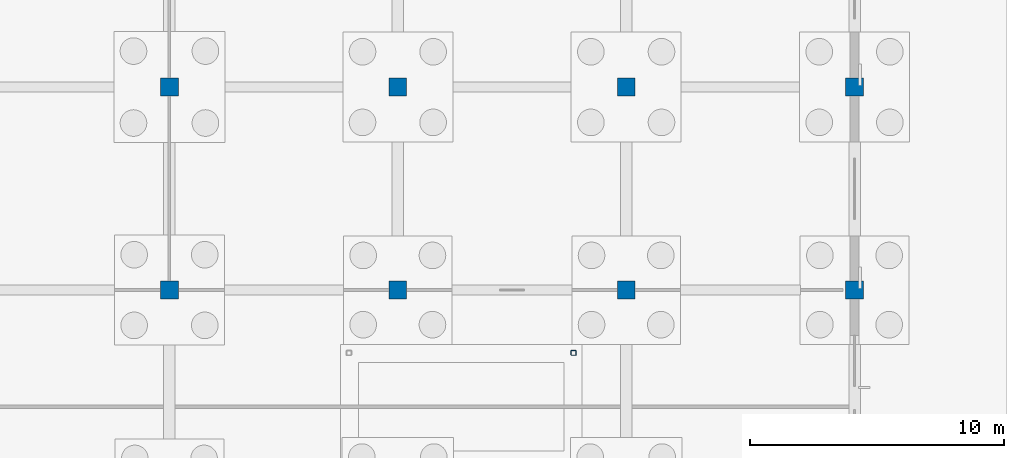
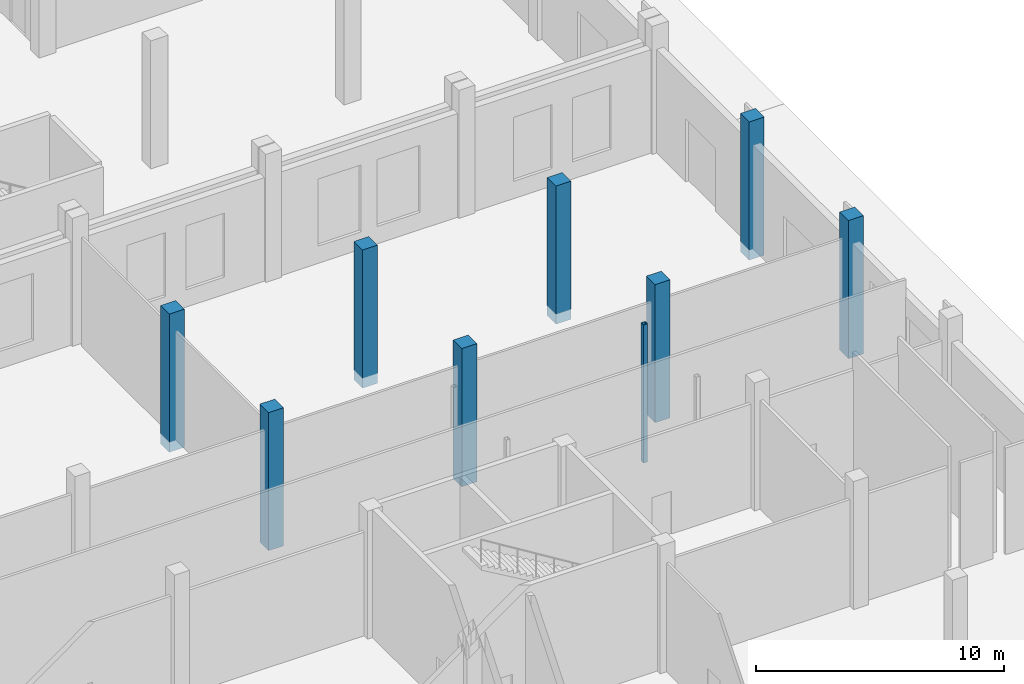
# One storey, part 34 of 99: 9 columns.
"""IFC4 building model written with IfcOpenShell, lengths in metres."""

from ifc_helpers import new_model, si_unit, direction, frame, origin, origin_2d, place, context, subcontext, project, spatial, rectangle, hollow_rectangle, extrude, material, material_profile, profile_set, type_object, element, save


model = new_model("IFC4")

# Units and contexts
model_context = context("Model", 3, precision=1e-05, world=origin(), true_north=direction((0.0, 1.0)))
body_context = subcontext(model_context, "Body", "Model", "MODEL_VIEW")
ifc_project = project(units=[si_unit("LENGTHUNIT", "METRE"), si_unit("AREAUNIT", "SQUARE_METRE"), si_unit("VOLUMEUNIT", "CUBIC_METRE"), si_unit("PLANEANGLEUNIT", "RADIAN"), si_unit("MASSUNIT", "GRAM", prefix="KILO")], contexts=[model_context])

# Site, building, storey
site_placement = place(None, origin())
site = spatial("IfcSite", under=ifc_project, at=site_placement, CompositionType="ELEMENT")
building_placement = place(site_placement, origin())
building = spatial("IfcBuilding", under=site, at=building_placement, Name="Zacnel Wholesale Market", CompositionType="ELEMENT")
storey_placement = place(building_placement, origin())
storey = spatial("IfcBuildingStorey", under=building, at=storey_placement, Name="L01", CompositionType="ELEMENT", Elevation=0.0)

# Columns
ifc_material_1 = material(Name="Precast concrete C45/55", Category="concrete")
ifc_material_profile_1 = material_profile(ifc_material_1, rectangle(XDim=0.699951171875, YDim=0.699951171875, at=origin_2d()), Name="PC 700x700")
ifc_profile_set_1 = profile_set([ifc_material_profile_1], Name="Precast concrete C45/55")
column_type_1 = type_object("IfcColumnType", Name="COL-PC700", PredefinedType="COLUMN", material=ifc_profile_set_1)
for number, where, z_axis, x_axis, name in (
    (1, (189.0, 32.0, -0.5), (0.0, 0.0, 1.0), (1.0, 0.0, 0.0), "Precast column L01-0301"),
    (2, (189.0, 40.0, -0.5), (0.0, 0.0, 1.0), (1.0, 0.0, 0.0), "Precast column L01-0302"),
    (3, (198.0, 32.0, -0.5), (0.0, 0.0, 1.0), (1.0, 0.0, 0.0), "Precast column L01-0317"),
    (4, (198.0, 40.0, -0.5), (0.0, 0.0, 1.0), (1.0, 0.0, 0.0), "Precast column L01-0318"),
    (5, (207.0, 32.0, -0.5), (0.0, 0.0, 1.0), (1.0, 0.0, 0.0), "Precast column L01-0330"),
    (6, (207.0, 40.0, -0.5), (0.0, 0.0, 1.0), (1.0, 0.0, 0.0), "Precast column L01-0331"),
    (7, (216.0, 32.0, -0.5), (0.0, 0.0, 1.0), (1.0, 0.0, 0.0), "Precast column L01-0343"),
    (8, (216.0, 40.0, -0.5), (0.0, 0.0, 1.0), (1.0, 0.0, 0.0), "Precast column L01-0344"),
):
    element("IfcColumn", number, at=place(storey_placement, frame(where, z_axis=z_axis, x_axis=x_axis)), inside=storey, type_object=column_type_1, Name=name, PredefinedType="COLUMN", context=body_context, shape_type="SweptSolid", body=[
        extrude(rectangle(XDim=0.699951171875, YDim=0.699951171875, at=origin_2d()), origin(), (0.0, 0.0, 1.0), 6.800048828125),
    ])
ifc_material_2 = material(Name="Steel S355", Category="steel")
ifc_material_profile_2 = material_profile(ifc_material_2, hollow_rectangle(XDim=0.199951171875, YDim=0.199951171875, WallThickness=0.010009765625, InnerFilletRadius=0.010009765625, OuterFilletRadius=0.02001953125, at=origin_2d()), Name="HSS 200x200x10")
ifc_profile_set_2 = profile_set([ifc_material_profile_2], Name="Steel S355")
column_type_2 = type_object("IfcColumnType", Name="COL-STL-HSS200", PredefinedType="COLUMN", material=ifc_profile_set_2)
column_placement = place(storey_placement, frame((204.925048828125, 29.52490234375, -0.5), z_axis=(0.0, 0.0, 1.0), x_axis=(1.0, 0.0, 0.0)))
element("IfcColumn", 9, at=column_placement, inside=storey, type_object=column_type_2, Name="Stair ST-26 shaft support column L01-4", PredefinedType="COLUMN", context=body_context, shape_type="SweptSolid", body=[
    extrude(hollow_rectangle(XDim=0.199951171875, YDim=0.199951171875, WallThickness=0.010009765625, InnerFilletRadius=0.010009765625, OuterFilletRadius=0.02001953125, at=origin_2d()), origin(), (0.0, 0.0, 1.0), 6.800048828125),
])

save(model, "model.ifc")
